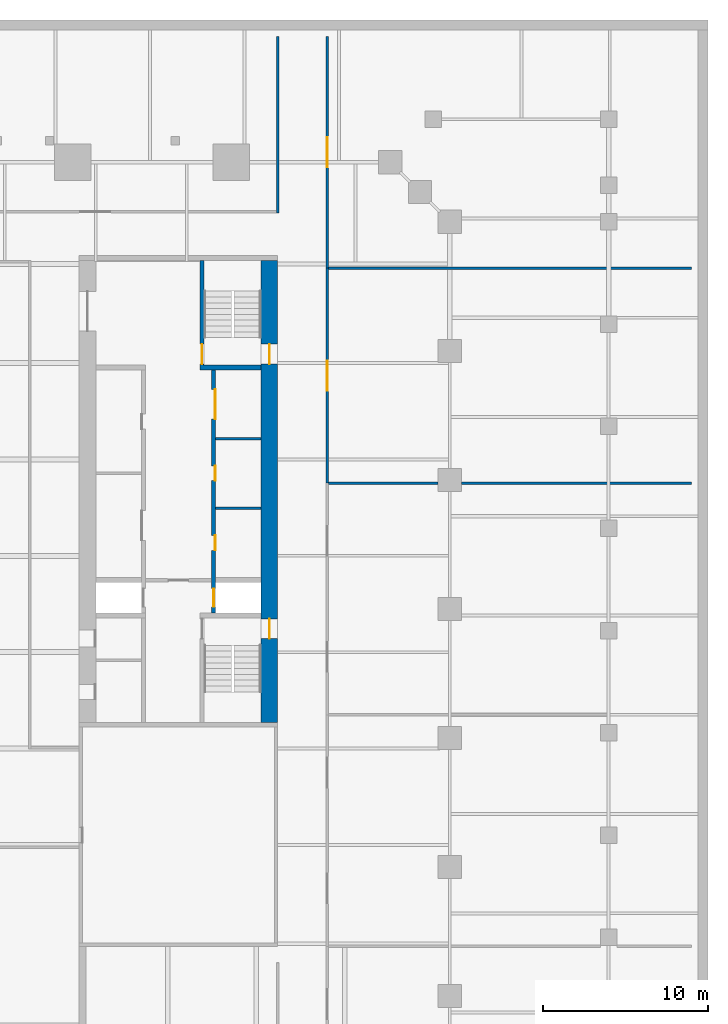
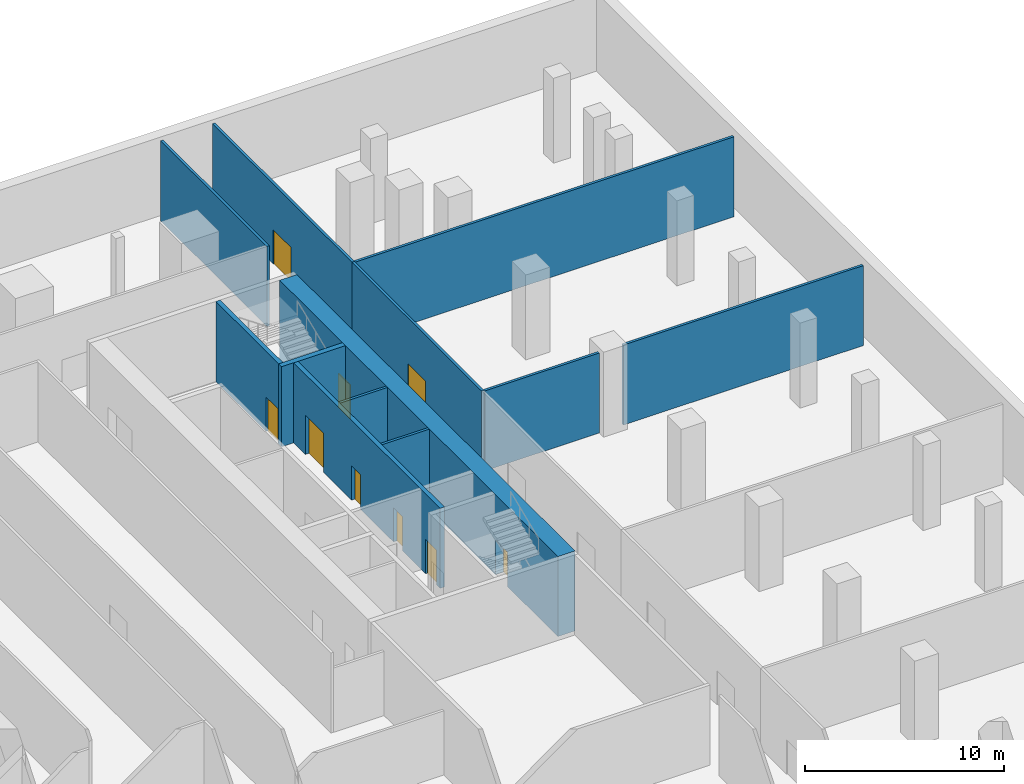
# One storey, part 13 of 15: 12 walls, 9 doors, 9 openings.
"""IFC4 building model written with IfcOpenShell, lengths in metres."""

from ifc_helpers import new_model, si_unit, direction, frame, frame_2d, origin, place, context, subcontext, project, spatial, rectangle, extrude, material, layer, layer_set, type_object, element, fill, save


model = new_model("IFC4")

# Units and contexts
model_context = context("Model", 3, precision=1e-05, world=origin(), true_north=direction((0.0, 1.0)))
body_context = subcontext(model_context, "Body", "Model", "MODEL_VIEW")
ifc_project = project(units=[si_unit("LENGTHUNIT", "METRE"), si_unit("AREAUNIT", "SQUARE_METRE"), si_unit("VOLUMEUNIT", "CUBIC_METRE"), si_unit("PLANEANGLEUNIT", "RADIAN"), si_unit("MASSUNIT", "GRAM", prefix="KILO")], contexts=[model_context])

# Site, building, storey
site_placement = place(None, origin())
site = spatial("IfcSite", under=ifc_project, at=site_placement, CompositionType="ELEMENT")
building_placement = place(site_placement, origin())
building = spatial("IfcBuilding", under=site, at=building_placement, Name="Ogive Exchange Tower", CompositionType="ELEMENT")
storey_placement = place(building_placement, frame((0.0, 0.0, -5.199951171875)))
storey = spatial("IfcBuildingStorey", under=building, at=storey_placement, Name="B1", CompositionType="ELEMENT", Elevation=-5.199951171875)

# Walls
ifc_material_1 = material(Name="Gypsum board partition")
ifc_layer_1 = layer(ifc_material_1, 0.14990234375)
ifc_layer_set_1 = layer_set([ifc_layer_1], Name="Core room partition 150 gypsum")
wall_type_1 = type_object("IfcWallType", Name="Core room partition 150 gypsum", PredefinedType="PARTITIONING", material=ifc_layer_set_1)
for number, where, z_axis, x_axis, name in (
    (1, (18.25, 10.5, 0.0), (0.0, 0.0, 1.0), (1.0, 0.0, 0.0), "E row A bay partition 1-1"),
    (2, (18.25, 14.699951171875, 0.0), (0.0, 0.0, 1.0), (1.0, 0.0, 0.0), "E row A bay partition 1-2"),
):
    element("IfcWall", number, at=place(storey_placement, frame(where, z_axis=z_axis, x_axis=x_axis)), inside=storey, type_object=wall_type_1, Name=name, PredefinedType="PARTITIONING", context=body_context, shape_type="SweptSolid", body=[
        extrude(rectangle(XDim=2.75, YDim=0.14990234375, at=frame_2d((1.375, 0.0))), origin(), (0.0, 0.0, 1.0), 4.89990234375),
    ])
ifc_material_2 = material(Name="Fire partition EI 60 150")
ifc_layer_2 = layer(ifc_material_2, 0.14990234375)
ifc_layer_set_2 = layer_set([ifc_layer_2], Name="Fire partition EI 60 150")
wall_type_2 = type_object("IfcWallType", Name="Fire partition EI 60 150", PredefinedType="PARTITIONING", material=ifc_layer_set_2)
wall_1_placement = place(storey_placement, frame((25.074951171875, 12.0, 0.0), z_axis=(0.0, 0.0, 1.0), x_axis=(1.0, 0.0, 0.0)))
element("IfcWall", 3, at=wall_1_placement, inside=storey, type_object=wall_type_2, Name="B1-PWL-028", PredefinedType="PARTITIONING", context=body_context, shape_type="SweptSolid", body=[
    extrude(rectangle(XDim=6.625, YDim=0.14990234375, at=frame_2d((3.3125, 0.0))), origin(), (0.0, 0.0, 1.0), 4.89990234375),
])
wall_2_placement = place(storey_placement, frame((33.10009765625, 12.0, 0.0), z_axis=(0.0, 0.0, 1.0), x_axis=(1.0, 0.0, 0.0)))
element("IfcWall", 4, at=wall_2_placement, inside=storey, type_object=wall_type_2, Name="B1-PWL-029", PredefinedType="PARTITIONING", context=body_context, shape_type="SweptSolid", body=[
    extrude(rectangle(XDim=13.89990234375, YDim=0.14990234375, at=frame_2d((6.949951171875, 0.0))), origin(), (0.0, 0.0, 1.0), 4.89990234375),
])
wall_3_placement = place(storey_placement, frame((25.074951171875, 25.0, 0.0), z_axis=(0.0, 0.0, 1.0), x_axis=(1.0, 0.0, 0.0)))
element("IfcWall", 5, at=wall_3_placement, inside=storey, type_object=wall_type_2, Name="B1-PWL-032", PredefinedType="PARTITIONING", context=body_context, shape_type="SweptSolid", body=[
    extrude(rectangle(XDim=21.925048828125, YDim=0.14990234375, at=frame_2d((10.96240234375, 0.0))), origin(), (0.0, 0.0, 1.0), 4.89990234375),
])
wall_4_placement = place(storey_placement, frame((22.0, 28.324951171875, 0.0), z_axis=(0.0, 0.0, 1.0), x_axis=(0.0, 1.0, 0.0)))
element("IfcWall", 6, at=wall_4_placement, inside=storey, type_object=wall_type_2, Name="B1-PWL-068", PredefinedType="PARTITIONING", context=body_context, shape_type="SweptSolid", body=[
    extrude(rectangle(XDim=10.675048828125, YDim=0.14990234375, at=frame_2d((5.33740234375, 0.0))), origin(), (0.0, 0.0, 1.0), 4.89990234375),
])

# Wall, opening, door
wall_5_placement = place(storey_placement, frame((25.0, 12.0, 0.0), z_axis=(0.0, 0.0, 1.0), x_axis=(0.0, 1.0, 0.0)))
wall_5 = element("IfcWall", 7, at=wall_5_placement, inside=storey, type_object=wall_type_2, Name="B1-PWL-077", PredefinedType="PARTITIONING", context=body_context, shape_type="SweptSolid", body=[
    extrude(rectangle(XDim=13.0, YDim=0.14990234375, at=frame_2d((6.5, 0.0))), origin(), (0.0, 0.0, 1.0), 4.89990234375),
])
opening_1_placement = place(wall_5_placement, frame((5.60009765625, 0.0, 0.0)))
opening_1 = element("IfcOpeningElement", 8, at=opening_1_placement, cuts=wall_5, Name="Opening B1-I19", PredefinedType="OPENING", context=body_context, shape_type="SweptSolid", body=[
    extrude(rectangle(XDim=1.800048828125, YDim=2.10009765625, at=frame_2d((0.89990234375, 1.050048828125))), frame((0.0, 0.0849609375, 0.0), z_axis=(0.0, -1.0, 0.0), x_axis=(1.0, 0.0, 0.0)), (0.0, 0.0, 1.0), 0.169921875),
])
ifc_material_3 = material(Name="Fire door FD 30S 1800 x 2100")
door_type_1 = type_object("IfcDoorType", Name="Fire door FD 30S 1800 x 2100", OperationType="DOUBLE_DOOR_SINGLE_SWING", PredefinedType="DOOR", material=ifc_material_3)
door_1_placement = place(opening_1_placement, origin())
door_1 = element("IfcDoor", 9, at=door_1_placement, inside=storey, type_object=door_type_1, Name="B1-IDR-019", ObjectType="DT4", OperationType="SINGLE_SWING_RIGHT", OverallHeight=2.10009765625, OverallWidth=1.800048828125, PredefinedType="DOOR", context=body_context, shape_type="SweptSolid", body=[
    extrude(rectangle(XDim=1.800048828125, YDim=2.10009765625, at=frame_2d((0.89990234375, 1.050048828125))), frame((0.0, 0.02490234375, 0.0), z_axis=(0.0, -1.0, 0.0), x_axis=(1.0, 0.0, 0.0)), (0.0, 0.0, 1.0), 0.050048828125),
])
fill(opening_1, door_1)

wall_6_placement = place(storey_placement, frame((25.0, 25.0, 0.0), z_axis=(0.0, 0.0, 1.0), x_axis=(0.0, 1.0, 0.0)))
wall_6 = element("IfcWall", 10, at=wall_6_placement, inside=storey, type_object=wall_type_2, Name="B1-PWL-078", PredefinedType="PARTITIONING", context=body_context, shape_type="SweptSolid", body=[
    extrude(rectangle(XDim=14.0, YDim=0.14990234375, at=frame_2d((7.0, 0.0))), origin(), (0.0, 0.0, 1.0), 4.89990234375),
])
opening_2_placement = place(wall_6_placement, frame((6.10009765625, 0.0, 0.0)))
opening_2 = element("IfcOpeningElement", 11, at=opening_2_placement, cuts=wall_6, Name="Opening B1-I20", PredefinedType="OPENING", context=body_context, shape_type="SweptSolid", body=[
    extrude(rectangle(XDim=1.800048828125, YDim=2.10009765625, at=frame_2d((0.89990234375, 1.050048828125))), frame((0.0, 0.0849609375, 0.0), z_axis=(0.0, -1.0, 0.0), x_axis=(1.0, 0.0, 0.0)), (0.0, 0.0, 1.0), 0.169921875),
])
door_2_placement = place(opening_2_placement, frame((1.800048828125, 0.0, 0.0), z_axis=(0.0, 0.0, 1.0), x_axis=(-1.0, 0.0, 0.0)))
door_2 = element("IfcDoor", 12, at=door_2_placement, inside=storey, type_object=door_type_1, Name="B1-IDR-020", ObjectType="DT4", OperationType="SINGLE_SWING_RIGHT", OverallHeight=2.10009765625, OverallWidth=1.800048828125, PredefinedType="DOOR", context=body_context, shape_type="SweptSolid", body=[
    extrude(rectangle(XDim=1.800048828125, YDim=2.10009765625, at=frame_2d((0.89990234375, 1.050048828125))), frame((0.0, 0.02490234375, 0.0), z_axis=(0.0, -1.0, 0.0), x_axis=(1.0, 0.0, 0.0)), (0.0, 0.0, 1.0), 0.050048828125),
])
fill(opening_2, door_2)

# Wall, openings, doors
ifc_material_4 = material(Name="Concrete C70/85", Category="concrete")
ifc_layer_3 = layer(ifc_material_4, 1.0)
ifc_layer_set_3 = layer_set([ifc_layer_3], Name="RC core wall 1000 C70/85")
wall_type_3 = type_object("IfcWallType", Name="RC core wall 1000 C70/85", PredefinedType="SHEAR", material=ifc_layer_set_3)
wall_7_placement = place(storey_placement, frame((21.5, -2.449951171875, 0.0), z_axis=(0.0, 0.0, 1.0), x_axis=(0.0, 1.0, 0.0)))
wall_7 = element("IfcWall", 13, at=wall_7_placement, inside=storey, type_object=wall_type_3, Name="E outer wall", PredefinedType="SHEAR", context=body_context, shape_type="SweptSolid", body=[
    extrude(rectangle(XDim=27.89990234375, YDim=1.0, at=frame_2d((13.949951171875, 0.0))), origin(), (0.0, 0.0, 1.0), 4.89990234375),
])
opening_3_placement = place(wall_7_placement, frame((5.050048828125, 0.0, 0.0)))
opening_3 = element("IfcOpeningElement", 14, at=opening_3_placement, cuts=wall_7, Name="Opening B1-C28", PredefinedType="OPENING", context=body_context, shape_type="SweptSolid", body=[
    extrude(rectangle(XDim=1.199951171875, YDim=2.10009765625, at=frame_2d((0.60009765625, 1.050048828125))), frame((0.0, 0.510009765625, 0.0), z_axis=(0.0, -1.0, 0.0), x_axis=(1.0, 0.0, 0.0)), (0.0, 0.0, 1.0), 1.02001953125),
])
opening_4_placement = place(wall_7_placement, frame((21.64990234375, 0.0, 0.0)))
opening_4 = element("IfcOpeningElement", 15, at=opening_4_placement, cuts=wall_7, Name="Opening B1-C30", PredefinedType="OPENING", context=body_context, shape_type="SweptSolid", body=[
    extrude(rectangle(XDim=1.199951171875, YDim=2.10009765625, at=frame_2d((0.60009765625, 1.050048828125))), frame((0.0, 0.510009765625, 0.0), z_axis=(0.0, -1.0, 0.0), x_axis=(1.0, 0.0, 0.0)), (0.0, 0.0, 1.0), 1.02001953125),
])
ifc_material_5 = material(Name="Steel fire door", Category="steel")
door_type_2 = type_object("IfcDoorType", Name="Stair door FD90 1200 x 2100", OperationType="NOTDEFINED", PredefinedType="DOOR", material=ifc_material_5)
door_3_placement = place(opening_3_placement, origin())
door_3 = element("IfcDoor", 16, at=door_3_placement, inside=storey, type_object=door_type_2, Name="Stair door", ObjectType="CD5", OperationType="SINGLE_SWING_LEFT", OverallHeight=2.10009765625, OverallWidth=1.199951171875, PredefinedType="DOOR", context=body_context, shape_type="SweptSolid", body=[
    extrude(rectangle(XDim=1.199951171875, YDim=2.10009765625, at=frame_2d((0.60009765625, 1.050048828125))), frame((0.0, 0.02490234375, 0.0), z_axis=(0.0, -1.0, 0.0), x_axis=(1.0, 0.0, 0.0)), (0.0, 0.0, 1.0), 0.050048828125),
])
fill(opening_3, door_3)
door_4_placement = place(opening_4_placement, origin())
door_4 = element("IfcDoor", 17, at=door_4_placement, inside=storey, type_object=door_type_2, Name="Stair door", ObjectType="CD5", OperationType="SINGLE_SWING_RIGHT", OverallHeight=2.10009765625, OverallWidth=1.199951171875, PredefinedType="DOOR", context=body_context, shape_type="SweptSolid", body=[
    extrude(rectangle(XDim=1.199951171875, YDim=2.10009765625, at=frame_2d((0.60009765625, 1.050048828125))), frame((0.0, 0.02490234375, 0.0), z_axis=(0.0, -1.0, 0.0), x_axis=(1.0, 0.0, 0.0)), (0.0, 0.0, 1.0), 0.050048828125),
])
fill(opening_4, door_4)

# Wall, opening, door
ifc_layer_4 = layer(ifc_material_4, 0.25)
ifc_layer_set_4 = layer_set([ifc_layer_4], Name="RC core wall 250 C70/85")
wall_type_4 = type_object("IfcWallType", Name="RC core wall 250 C70/85", PredefinedType="SHEAR", material=ifc_layer_set_4)
wall_8_placement = place(storey_placement, frame((17.425048828125, 19.14990234375, 0.0), z_axis=(0.0, 0.0, 1.0), x_axis=(0.0, 1.0, 0.0)))
wall_8 = element("IfcWall", 18, at=wall_8_placement, inside=storey, type_object=wall_type_4, Name="E stair N front wall", PredefinedType="SHEAR", context=body_context, shape_type="SweptSolid", body=[
    extrude(rectangle(XDim=6.300048828125, YDim=0.25, at=frame_2d((3.14990234375, 0.0))), origin(), (0.0, 0.0, 1.0), 4.89990234375),
])
opening_5_placement = place(wall_8_placement, frame((0.050048828125, 0.0, 0.0)))
opening_5 = element("IfcOpeningElement", 19, at=opening_5_placement, cuts=wall_8, Name="Opening B1-C29", PredefinedType="OPENING", context=body_context, shape_type="SweptSolid", body=[
    extrude(rectangle(XDim=1.199951171875, YDim=2.10009765625, at=frame_2d((0.60009765625, 1.050048828125))), frame((0.0, 0.135009765625, 0.0), z_axis=(0.0, -1.0, 0.0), x_axis=(1.0, 0.0, 0.0)), (0.0, 0.0, 1.0), 0.27001953125),
])
door_5_placement = place(opening_5_placement, frame((1.199951171875, 0.0, 0.0), z_axis=(0.0, 0.0, 1.0), x_axis=(-1.0, 0.0, 0.0)))
door_5 = element("IfcDoor", 20, at=door_5_placement, inside=storey, type_object=door_type_2, Name="Stair door", ObjectType="CD5", OperationType="SINGLE_SWING_LEFT", OverallHeight=2.10009765625, OverallWidth=1.199951171875, PredefinedType="DOOR", context=body_context, shape_type="SweptSolid", body=[
    extrude(rectangle(XDim=1.199951171875, YDim=2.10009765625, at=frame_2d((0.60009765625, 1.050048828125))), frame((0.0, 0.02490234375, 0.0), z_axis=(0.0, -1.0, 0.0), x_axis=(1.0, 0.0, 0.0)), (0.0, 0.0, 1.0), 0.050048828125),
])
fill(opening_5, door_5)

# Wall, openings, doors
wall_9_placement = place(storey_placement, frame((18.125, 4.14990234375, 0.0), z_axis=(0.0, 0.0, 1.0), x_axis=(0.0, 1.0, 0.0)))
wall_9 = element("IfcWall", 21, at=wall_9_placement, inside=storey, type_object=wall_type_4, Name="E row A front wall", PredefinedType="SHEAR", context=body_context, shape_type="SweptSolid", body=[
    extrude(rectangle(XDim=14.7001953125, YDim=0.25, at=frame_2d((7.35009765625, 0.0))), origin(), (0.0, 0.0, 1.0), 4.89990234375),
])
opening_6_placement = place(wall_9_placement, frame((3.79638671875, 0.0, 0.0)))
opening_6 = element("IfcOpeningElement", 22, at=opening_6_placement, cuts=wall_9, Name="Opening B1-C18", PredefinedType="OPENING", context=body_context, shape_type="SweptSolid", body=[
    extrude(rectangle(XDim=0.89990234375, YDim=2.10009765625, at=frame_2d((0.449951171875, 1.050048828125))), frame((0.0, 0.135009765625, 0.0), z_axis=(0.0, -1.0, 0.0), x_axis=(1.0, 0.0, 0.0)), (0.0, 0.0, 1.0), 0.27001953125),
])
opening_7_placement = place(wall_9_placement, frame((8.0, 0.0, 0.0)))
opening_7 = element("IfcOpeningElement", 23, at=opening_7_placement, cuts=wall_9, Name="Opening B1-C19", PredefinedType="OPENING", context=body_context, shape_type="SweptSolid", body=[
    extrude(rectangle(XDim=0.89990234375, YDim=2.10009765625, at=frame_2d((0.449951171875, 1.050048828125))), frame((0.0, 0.135009765625, 0.0), z_axis=(0.0, -1.0, 0.0), x_axis=(1.0, 0.0, 0.0)), (0.0, 0.0, 1.0), 0.27001953125),
])
opening_8_placement = place(wall_9_placement, frame((11.72509765625, 0.0, 0.0)))
opening_8 = element("IfcOpeningElement", 24, at=opening_8_placement, cuts=wall_9, Name="Opening B1-C20", PredefinedType="OPENING", context=body_context, shape_type="SweptSolid", body=[
    extrude(rectangle(XDim=1.800048828125, YDim=2.39990234375, at=frame_2d((0.89990234375, 1.199951171875))), frame((0.0, 0.135009765625, 0.0), z_axis=(0.0, -1.0, 0.0), x_axis=(1.0, 0.0, 0.0)), (0.0, 0.0, 1.0), 0.27001953125),
])
opening_9_placement = place(wall_9_placement, frame((0.371337890625, 0.0, 0.0)))
opening_9 = element("IfcOpeningElement", 25, at=opening_9_placement, cuts=wall_9, Name="Opening B1-C21", PredefinedType="OPENING", context=body_context, shape_type="SweptSolid", body=[
    extrude(rectangle(XDim=1.10009765625, YDim=2.10009765625, at=frame_2d((0.550048828125, 1.050048828125))), frame((0.0, 0.135009765625, 0.0), z_axis=(0.0, -1.0, 0.0), x_axis=(1.0, 0.0, 0.0)), (0.0, 0.0, 1.0), 0.27001953125),
])
ifc_material_6 = material(Name="Stainless steel", Category="steel")
door_type_3 = type_object("IfcDoorType", Name="Lift landing door FD90 1100 x 2100", OperationType="SLIDING_TO_LEFT", PredefinedType="DOOR", material=ifc_material_6)
door_6_placement = place(opening_9_placement, origin())
door_6 = element("IfcDoor", 26, at=door_6_placement, inside=storey, type_object=door_type_3, Name="Lift landing door FF2", ObjectType="LD", OperationType="SLIDING_TO_LEFT", OverallHeight=2.10009765625, OverallWidth=1.10009765625, PredefinedType="DOOR", context=body_context, shape_type="SweptSolid", body=[
    extrude(rectangle(XDim=1.10009765625, YDim=2.10009765625, at=frame_2d((0.550048828125, 1.050048828125))), frame((0.0, 0.02490234375, 0.0), z_axis=(0.0, -1.0, 0.0), x_axis=(1.0, 0.0, 0.0)), (0.0, 0.0, 1.0), 0.050048828125),
])
fill(opening_9, door_6)
door_type_4 = type_object("IfcDoorType", Name="Plant room door FD60 1800 x 2400", OperationType="DOUBLE_DOOR_SINGLE_SWING", PredefinedType="DOOR", material=ifc_material_5)
door_7_placement = place(opening_8_placement, frame((1.800048828125, -0.2001953125, 0.0), z_axis=(0.0, 0.0, 1.0), x_axis=(-1.0, 0.0, 0.0)))
door_7 = element("IfcDoor", 27, at=door_7_placement, inside=storey, type_object=door_type_4, Name="Plant room door", ObjectType="CD1", OperationType="DOUBLE_DOOR_SINGLE_SWING", OverallHeight=2.39990234375, OverallWidth=1.800048828125, PredefinedType="DOOR", context=body_context, shape_type="SweptSolid", body=[
    extrude(rectangle(XDim=1.800048828125, YDim=2.39990234375, at=frame_2d((0.89990234375, 1.199951171875))), frame((0.0, -0.0751953125, 0.0), z_axis=(0.0, -1.0, 0.0), x_axis=(1.0, 0.0, 0.0)), (0.0, 0.0, 1.0), 0.050048828125),
])
fill(opening_8, door_7)
door_type_5 = type_object("IfcDoorType", Name="Riser door FD60 900 x 2100", OperationType="NOTDEFINED", PredefinedType="DOOR", material=ifc_material_5)
door_8_placement = place(opening_6_placement, frame((0.89990234375, -0.2001953125, 0.0), z_axis=(0.0, 0.0, 1.0), x_axis=(-1.0, 0.0, 0.0)))
door_8 = element("IfcDoor", 28, at=door_8_placement, inside=storey, type_object=door_type_5, Name="Riser door", ObjectType="CD2", OperationType="SINGLE_SWING_LEFT", OverallHeight=2.10009765625, OverallWidth=0.89990234375, PredefinedType="DOOR", context=body_context, shape_type="SweptSolid", body=[
    extrude(rectangle(XDim=0.89990234375, YDim=2.10009765625, at=frame_2d((0.449951171875, 1.050048828125))), frame((0.0, -0.0751953125, 0.0), z_axis=(0.0, -1.0, 0.0), x_axis=(1.0, 0.0, 0.0)), (0.0, 0.0, 1.0), 0.050048828125),
])
fill(opening_6, door_8)
door_9_placement = place(opening_7_placement, frame((0.89990234375, -0.2001953125, 0.0), z_axis=(0.0, 0.0, 1.0), x_axis=(-1.0, 0.0, 0.0)))
door_9 = element("IfcDoor", 29, at=door_9_placement, inside=storey, type_object=door_type_5, Name="Riser door", ObjectType="CD2", OperationType="SINGLE_SWING_LEFT", OverallHeight=2.10009765625, OverallWidth=0.89990234375, PredefinedType="DOOR", context=body_context, shape_type="SweptSolid", body=[
    extrude(rectangle(XDim=0.89990234375, YDim=2.10009765625, at=frame_2d((0.449951171875, 1.050048828125))), frame((0.0, -0.0751953125, 0.0), z_axis=(0.0, -1.0, 0.0), x_axis=(1.0, 0.0, 0.0)), (0.0, 0.0, 1.0), 0.050048828125),
])
fill(opening_7, door_9)

# Wall
ifc_layer_5 = layer(ifc_material_4, 0.300048828125)
ifc_layer_set_5 = layer_set([ifc_layer_5], Name="RC core wall 300 C70/85")
wall_type_5 = type_object("IfcWallType", Name="RC core wall 300 C70/85", PredefinedType="SHEAR", material=ifc_layer_set_5)
wall_10_placement = place(storey_placement, frame((17.300048828125, 19.0, 0.0), z_axis=(0.0, 0.0, 1.0), x_axis=(1.0, 0.0, 0.0)))
element("IfcWall", 30, at=wall_10_placement, inside=storey, type_object=wall_type_5, Name="E stair N south wall", PredefinedType="SHEAR", context=body_context, shape_type="SweptSolid", body=[
    extrude(rectangle(XDim=3.699951171875, YDim=0.300048828125, at=frame_2d((1.85009765625, 0.0))), origin(), (0.0, 0.0, 1.0), 4.89990234375),
])

save(model, "model.ifc")
